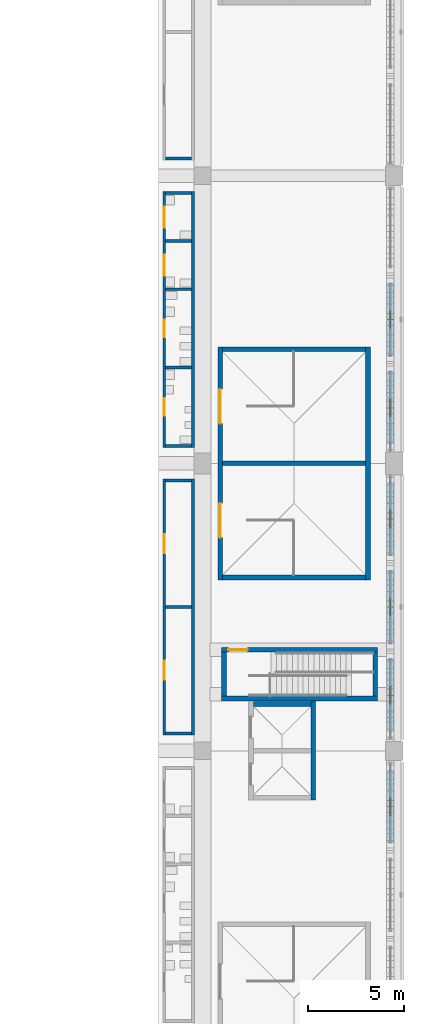
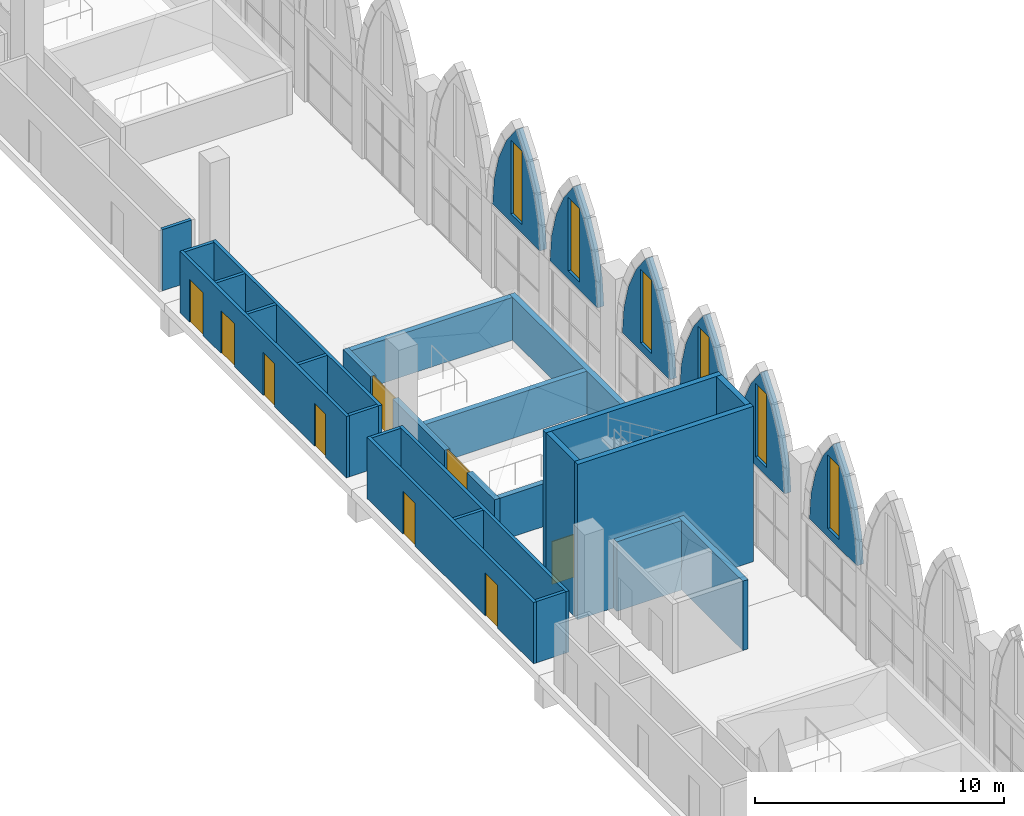
# One storey, part 75 of 130: 30 walls, 9 doors, 6 windows, 15 openings.
"""IFC4 building model written with IfcOpenShell, lengths in metres."""

from ifc_helpers import new_model, si_unit, direction, frame, frame_2d, origin, place, context, subcontext, project, spatial, polyline, rectangle, outline, extrude, material, layer, layer_set, type_object, element, fill, save


model = new_model("IFC4")

# Units and contexts
model_context = context("Model", 3, precision=1e-05, world=origin(), true_north=direction((0.0, 1.0)))
body_context = subcontext(model_context, "Body", "Model", "MODEL_VIEW")
ifc_project = project(units=[si_unit("LENGTHUNIT", "METRE"), si_unit("AREAUNIT", "SQUARE_METRE"), si_unit("VOLUMEUNIT", "CUBIC_METRE"), si_unit("PLANEANGLEUNIT", "RADIAN"), si_unit("MASSUNIT", "GRAM", prefix="KILO")], contexts=[model_context])

# Site, building, storey
site_placement = place(None, origin())
site = spatial("IfcSite", under=ifc_project, at=site_placement, CompositionType="ELEMENT")
building_placement = place(site_placement, origin())
building = spatial("IfcBuilding", under=site, at=building_placement, Name="Ogive Plaza Stadium", CompositionType="ELEMENT")
storey_placement = place(building_placement, frame((0.0, 0.0, 22.5)))
storey = spatial("IfcBuildingStorey", under=building, at=storey_placement, Name="L05", CompositionType="ELEMENT", Elevation=22.5)

# Wall
ifc_material_1 = material(Name="Masonry blockwork", Category="masonry")
ifc_layer_1 = layer(ifc_material_1, 0.14990234375)
ifc_layer_set_1 = layer_set([ifc_layer_1], Name="Blockwork wall 150")
wall_type_1 = type_object("IfcWallType", Name="Blockwork wall 150", PredefinedType="SOLIDWALL", material=ifc_layer_set_1)
wall_1_placement = place(storey_placement, frame((72.074951171875, 23.39990234375, 0.0), z_axis=(0.0, 0.0, 1.0), x_axis=(1.0, 0.0, 0.0)))
element("IfcWall", 1, at=wall_1_placement, inside=storey, type_object=wall_type_1, Name="Wall L05 B02", PredefinedType="SOLIDWALL", context=body_context, shape_type="SweptSolid", body=[
    extrude(rectangle(XDim=1.35009765625, YDim=0.14990234375, at=frame_2d((0.675048828125, 0.0))), origin(), (0.0, 0.0, 1.0), 3.0),
])

# Wall, openings, doors
wall_2_placement = place(storey_placement, frame((72.0, 6.675048828125, 0.0), z_axis=(0.0, 0.0, 1.0), x_axis=(0.0, -1.0, 0.0)))
wall_2 = element("IfcWall", 2, at=wall_2_placement, inside=storey, type_object=wall_type_1, Name="Wall L05 B04", PredefinedType="SOLIDWALL", context=body_context, shape_type="SweptSolid", body=[
    extrude(rectangle(XDim=13.35009765625, YDim=0.14990234375, at=frame_2d((6.675048828125, 0.0))), origin(), (0.0, 0.0, 1.0), 3.0),
])
opening_1_placement = place(wall_2_placement, frame((2.875, 0.0, 0.0)))
opening_1 = element("IfcOpeningElement", 3, at=opening_1_placement, cuts=wall_2, Name="Opening D0927", PredefinedType="OPENING", context=body_context, shape_type="SweptSolid", body=[
    extrude(rectangle(XDim=1.0, YDim=2.10009765625, at=frame_2d((0.5, 1.050048828125))), frame((0.0, 0.074951171875, 0.0), z_axis=(0.0, -1.0, 0.0), x_axis=(1.0, 0.0, 0.0)), (0.0, 0.0, 1.0), 0.14990234375),
])
opening_2_placement = place(wall_2_placement, frame((9.47509765625, 0.0, 0.0)))
opening_2 = element("IfcOpeningElement", 4, at=opening_2_placement, cuts=wall_2, Name="Opening D0928", PredefinedType="OPENING", context=body_context, shape_type="SweptSolid", body=[
    extrude(rectangle(XDim=1.0, YDim=2.10009765625, at=frame_2d((0.5, 1.050048828125))), frame((0.0, 0.074951171875, 0.0), z_axis=(0.0, -1.0, 0.0), x_axis=(1.0, 0.0, 0.0)), (0.0, 0.0, 1.0), 0.14990234375),
])
ifc_material_2 = material(Name="Steel ASTM A572 Grade 50", Category="steel")
door_type_1 = type_object("IfcDoorType", Name="Door 1000 x 2100", OperationType="SINGLE_SWING_LEFT", PredefinedType="DOOR", material=ifc_material_2)
door_1_placement = place(opening_1_placement, origin())
door_1 = element("IfcDoor", 5, at=door_1_placement, inside=storey, type_object=door_type_1, Name="Concession Stand B04 door", OperationType="SINGLE_SWING_LEFT", OverallHeight=2.10009765625, OverallWidth=1.0, PredefinedType="DOOR", context=body_context, shape_type="SweptSolid", body=[
    extrude(rectangle(XDim=1.0, YDim=2.10009765625, at=frame_2d((0.5, 1.050048828125))), frame((0.0, 0.02490234375, 0.0), z_axis=(0.0, -1.0, 0.0), x_axis=(1.0, 0.0, 0.0)), (0.0, 0.0, 1.0), 0.050048828125),
])
fill(opening_1, door_1)
door_2_placement = place(opening_2_placement, origin())
door_2 = element("IfcDoor", 6, at=door_2_placement, inside=storey, type_object=door_type_1, Name="Concession Stand B04 door", OperationType="SINGLE_SWING_RIGHT", OverallHeight=2.10009765625, OverallWidth=1.0, PredefinedType="DOOR", context=body_context, shape_type="SweptSolid", body=[
    extrude(rectangle(XDim=1.0, YDim=2.10009765625, at=frame_2d((0.5, 1.050048828125))), frame((0.0, 0.02490234375, 0.0), z_axis=(0.0, -1.0, 0.0), x_axis=(1.0, 0.0, 0.0)), (0.0, 0.0, 1.0), 0.050048828125),
])
fill(opening_2, door_2)

# Walls
wall_3_placement = place(storey_placement, frame((73.5, 6.675048828125, 0.0), z_axis=(0.0, 0.0, 1.0), x_axis=(0.0, -1.0, 0.0)))
element("IfcWall", 7, at=wall_3_placement, inside=storey, type_object=wall_type_1, Name="Wall L05 B04", PredefinedType="SOLIDWALL", context=body_context, shape_type="SweptSolid", body=[
    extrude(rectangle(XDim=13.35009765625, YDim=0.14990234375, at=frame_2d((6.675048828125, 0.0))), origin(), (0.0, 0.0, 1.0), 3.0),
])
for number, where, z_axis, x_axis, name in (
    (8, (72.074951171875, 6.60009765625, 0.0), (0.0, 0.0, 1.0), (1.0, 0.0, 0.0), "Wall L05 B04"),
    (9, (72.074951171875, 0.0, 0.0), (0.0, 0.0, 1.0), (1.0, 0.0, 0.0), "Wall L05 B04"),
    (10, (72.074951171875, -6.60009765625, 0.0), (0.0, 0.0, 1.0), (1.0, 0.0, 0.0), "Wall L05 B04"),
):
    element("IfcWall", number, at=place(storey_placement, frame(where, z_axis=z_axis, x_axis=x_axis)), inside=storey, type_object=wall_type_1, Name=name, PredefinedType="SOLIDWALL", context=body_context, shape_type="SweptSolid", body=[
        extrude(rectangle(XDim=1.35009765625, YDim=0.14990234375, at=frame_2d((0.675048828125, 0.0))), origin(), (0.0, 0.0, 1.0), 3.0),
    ])

# Wall, openings, doors
ifc_material_3 = material(Name="Concrete C40/50", Category="concrete")
ifc_layer_2 = layer(ifc_material_3, 0.25)
ifc_layer_set_2 = layer_set([ifc_layer_2], Name="Concrete C40/50")
wall_type_2 = type_object("IfcWallType", Name="Core wall 250", PredefinedType="SHEAR", material=ifc_layer_set_2)
wall_4_placement = place(storey_placement, frame((74.925048828125, 1.425048828125, 0.0), z_axis=(0.0, 0.0, 1.0), x_axis=(0.0, 1.0, 0.0)))
wall_4 = element("IfcWall", 11, at=wall_4_placement, inside=storey, type_object=wall_type_2, Name="Stair core R04 inner wall", PredefinedType="SHEAR", context=body_context, shape_type="SweptSolid", body=[
    extrude(rectangle(XDim=12.14990234375, YDim=0.25, at=frame_2d((6.074951171875, 0.0))), origin(), (0.0, 0.0, 1.0), 2.10009765625),
])
opening_3_placement = place(wall_4_placement, frame((2.199951171875, 0.0, 0.0)))
opening_3 = element("IfcOpeningElement", 12, at=opening_3_placement, cuts=wall_4, Name="Opening D0065", PredefinedType="OPENING", context=body_context, shape_type="SweptSolid", body=[
    extrude(rectangle(XDim=1.800048828125, YDim=2.10009765625, at=frame_2d((0.89990234375, 1.050048828125))), frame((0.0, 0.125, 0.0), z_axis=(0.0, -1.0, 0.0), x_axis=(1.0, 0.0, 0.0)), (0.0, 0.0, 1.0), 0.25),
])
opening_4_placement = place(wall_4_placement, frame((8.14990234375, 0.0, 0.0)))
opening_4 = element("IfcOpeningElement", 13, at=opening_4_placement, cuts=wall_4, Name="Opening D0066", PredefinedType="OPENING", context=body_context, shape_type="SweptSolid", body=[
    extrude(rectangle(XDim=1.800048828125, YDim=2.10009765625, at=frame_2d((0.89990234375, 1.050048828125))), frame((0.0, 0.125, 0.0), z_axis=(0.0, -1.0, 0.0), x_axis=(1.0, 0.0, 0.0)), (0.0, 0.0, 1.0), 0.25),
])
ifc_material_4 = material(Name="Steel ASTM A572 Grade 50", Category="steel")
door_type_2 = type_object("IfcDoorType", Name="Fire door FD90 pair 1800 x 2100", OperationType="DOUBLE_DOOR_SINGLE_SWING", PredefinedType="DOOR", material=ifc_material_4)
door_3_placement = place(opening_3_placement, origin())
door_3 = element("IfcDoor", 14, at=door_3_placement, inside=storey, type_object=door_type_2, Name="Exit stair R04A door L05", OperationType="DOUBLE_DOOR_SINGLE_SWING", OverallHeight=2.10009765625, OverallWidth=1.800048828125, PredefinedType="DOOR", context=body_context, shape_type="SweptSolid", body=[
    extrude(rectangle(XDim=1.800048828125, YDim=2.10009765625, at=frame_2d((0.89990234375, 1.050048828125))), frame((0.0, 0.02490234375, 0.0), z_axis=(0.0, -1.0, 0.0), x_axis=(1.0, 0.0, 0.0)), (0.0, 0.0, 1.0), 0.050048828125),
])
fill(opening_3, door_3)
door_4_placement = place(opening_4_placement, origin())
door_4 = element("IfcDoor", 15, at=door_4_placement, inside=storey, type_object=door_type_2, Name="Exit stair R04B door L05", OperationType="DOUBLE_DOOR_SINGLE_SWING", OverallHeight=2.10009765625, OverallWidth=1.800048828125, PredefinedType="DOOR", context=body_context, shape_type="SweptSolid", body=[
    extrude(rectangle(XDim=1.800048828125, YDim=2.10009765625, at=frame_2d((0.89990234375, 1.050048828125))), frame((0.0, 0.02490234375, 0.0), z_axis=(0.0, -1.0, 0.0), x_axis=(1.0, 0.0, 0.0)), (0.0, 0.0, 1.0), 0.050048828125),
])
fill(opening_4, door_4)

# Walls
wall_5_placement = place(storey_placement, frame((82.635009765625, 1.425048828125, 0.0), z_axis=(0.0, 0.0, 1.0), x_axis=(0.0, 1.0, 0.0)))
element("IfcWall", 16, at=wall_5_placement, inside=storey, type_object=wall_type_2, Name="Stair core R04 outer wall", PredefinedType="SHEAR", context=body_context, shape_type="SweptSolid", body=[
    extrude(rectangle(XDim=12.14990234375, YDim=0.25, at=frame_2d((6.074951171875, 0.0))), origin(), (0.0, 0.0, 1.0), 2.10009765625),
])
for number, where, z_axis, x_axis, name in (
    (17, (75.050048828125, 1.550048828125, 0.0), (0.0, 0.0, 1.0), (1.0, 0.0, 0.0), "Stair core R04 side wall"),
    (18, (75.050048828125, 13.449951171875, 0.0), (0.0, 0.0, 1.0), (1.0, 0.0, 0.0), "Stair core R04 side wall"),
    (19, (75.050048828125, 7.5, 0.0), (0.0, 0.0, 1.0), (1.0, 0.0, 0.0), "Stair core R04 centre wall"),
):
    element("IfcWall", number, at=place(storey_placement, frame(where, z_axis=z_axis, x_axis=x_axis)), inside=storey, type_object=wall_type_2, Name=name, PredefinedType="SHEAR", context=body_context, shape_type="SweptSolid", body=[
        extrude(rectangle(XDim=7.4599609375, YDim=0.25, at=frame_2d((3.72998046875, 0.0))), origin(), (0.0, 0.0, 1.0), 2.10009765625),
    ])
ifc_material_5 = material(Name="Concrete C40/50", Category="concrete")
ifc_layer_3 = layer(ifc_material_5, 0.25)
ifc_layer_set_3 = layer_set([ifc_layer_3], Name="Concrete C40/50")
wall_type_3 = type_object("IfcWallType", Name="Core wall 250 A", PredefinedType="SHEAR", material=ifc_layer_set_3)
wall_6_placement = place(storey_placement, frame((79.77490234375, -10.074951171875, 0.0), z_axis=(0.0, 0.0, 1.0), x_axis=(0.0, 1.0, 0.0)))
element("IfcWall", 20, at=wall_6_placement, inside=storey, type_object=wall_type_3, Name="Lift core LP05 rear wall", PredefinedType="SHEAR", context=body_context, shape_type="SweptSolid", body=[
    extrude(rectangle(XDim=5.175048828125, YDim=0.25, at=frame_2d((2.58740234375, 0.0))), origin(), (0.0, 0.0, 1.0), 3.39990234375),
])
wall_7_placement = place(storey_placement, frame((76.64990234375, -5.050048828125, 0.0), z_axis=(0.0, 0.0, 1.0), x_axis=(1.0, 0.0, 0.0)))
element("IfcWall", 21, at=wall_7_placement, inside=storey, type_object=wall_type_3, Name="Lift core LP05 side wall", PredefinedType="SHEAR", context=body_context, shape_type="SweptSolid", body=[
    extrude(rectangle(XDim=3.0, YDim=0.25, at=frame_2d((1.5, 0.0))), origin(), (0.0, 0.0, 1.0), 3.39990234375),
])
ifc_material_6 = material(Name="Concrete C40/50", Category="concrete")
ifc_layer_4 = layer(ifc_material_6, 0.25)
ifc_layer_set_4 = layer_set([ifc_layer_4], Name="Concrete C40/50")
wall_type_4 = type_object("IfcWallType", Name="Core wall 250 B", PredefinedType="SHEAR", material=ifc_layer_set_4)
wall_8_placement = place(storey_placement, frame((75.0, -4.77490234375, 0.0), z_axis=(0.0, 0.0, 1.0), x_axis=(1.0, 0.0, 0.0)))
element("IfcWall", 22, at=wall_8_placement, inside=storey, type_object=wall_type_4, Name="Roof access stair RA1 wall", PredefinedType="SHEAR", context=body_context, shape_type="SweptSolid", body=[
    extrude(rectangle(XDim=8.139892578125, YDim=0.25, at=frame_2d((4.06982421875, 0.0))), origin(), (0.0, 0.0, 1.0), 7.60009765625),
])

# Wall, opening, door
wall_9_placement = place(storey_placement, frame((75.0, -2.22509765625, 0.0), z_axis=(0.0, 0.0, 1.0), x_axis=(1.0, 0.0, 0.0)))
wall_9 = element("IfcWall", 23, at=wall_9_placement, inside=storey, type_object=wall_type_4, Name="Roof access stair RA1 wall", PredefinedType="SHEAR", context=body_context, shape_type="SweptSolid", body=[
    extrude(rectangle(XDim=8.139892578125, YDim=0.25, at=frame_2d((4.06982421875, 0.0))), origin(), (0.0, 0.0, 1.0), 7.60009765625),
])
opening_5_placement = place(wall_9_placement, frame((0.35009765625, 0.0, 0.0)))
opening_5 = element("IfcOpeningElement", 24, at=opening_5_placement, cuts=wall_9, Name="Opening D1057", PredefinedType="OPENING", context=body_context, shape_type="SweptSolid", body=[
    extrude(rectangle(XDim=1.0, YDim=2.10009765625, at=frame_2d((0.5, 1.050048828125))), frame((0.0, 0.125, 0.0), z_axis=(0.0, -1.0, 0.0), x_axis=(1.0, 0.0, 0.0)), (0.0, 0.0, 1.0), 0.25),
])
ifc_material_7 = material(Name="Steel ASTM A572 Grade 50", Category="steel")
door_type_3 = type_object("IfcDoorType", Name="Fire door FD90 1000 x 2100", OperationType="SINGLE_SWING_LEFT", PredefinedType="DOOR", material=ifc_material_7)
door_5_placement = place(opening_5_placement, origin())
door_5 = element("IfcDoor", 25, at=door_5_placement, inside=storey, type_object=door_type_3, Name="Roof access stair RA1 door", OperationType="SINGLE_SWING_LEFT", OverallHeight=2.10009765625, OverallWidth=1.0, PredefinedType="DOOR", context=body_context, shape_type="SweptSolid", body=[
    extrude(rectangle(XDim=1.0, YDim=2.10009765625, at=frame_2d((0.5, 1.050048828125))), frame((0.0, 0.02490234375, 0.0), z_axis=(0.0, -1.0, 0.0), x_axis=(1.0, 0.0, 0.0)), (0.0, 0.0, 1.0), 0.050048828125),
])
fill(opening_5, door_5)

# Walls
for number, where, z_axis, x_axis, name in (
    (26, (75.125, -4.64990234375, 0.0), (0.0, 0.0, 1.0), (0.0, 1.0, 0.0), "Roof access stair RA1 wall"),
    (27, (83.014892578125, -4.64990234375, 0.0), (0.0, 0.0, 1.0), (0.0, 1.0, 0.0), "Roof access stair RA1 wall"),
):
    element("IfcWall", number, at=place(storey_placement, frame(where, z_axis=z_axis, x_axis=x_axis)), inside=storey, type_object=wall_type_4, Name=name, PredefinedType="SHEAR", context=body_context, shape_type="SweptSolid", body=[
        extrude(rectangle(XDim=2.2998046875, YDim=0.25, at=frame_2d((1.14990234375, 0.0))), origin(), (0.0, 0.0, 1.0), 7.60009765625),
    ])

# Wall, openings, doors
ifc_material_8 = material(Name="Gypsum board partition", Category="gypsum")
ifc_layer_5 = layer(ifc_material_8, 0.14990234375)
ifc_layer_set_5 = layer_set([ifc_layer_5], Name="Partition 150")
wall_type_5 = type_object("IfcWallType", Name="Partition 150", PredefinedType="PARTITIONING", material=ifc_layer_set_5)
wall_10_placement = place(storey_placement, frame((72.0, 8.324951171875, 0.0), z_axis=(0.0, 0.0, 1.0), x_axis=(0.0, 1.0, 0.0)))
wall_10 = element("IfcWall", 28, at=wall_10_placement, inside=storey, type_object=wall_type_5, Name="Wall L05 B03", PredefinedType="PARTITIONING", context=body_context, shape_type="SweptSolid", body=[
    extrude(rectangle(XDim=13.35009765625, YDim=0.14990234375, at=frame_2d((6.675048828125, 0.0))), origin(), (0.0, 0.0, 1.0), 3.0),
])
opening_6_placement = place(wall_10_placement, frame((1.6708984375, 0.0, 0.0)))
opening_6 = element("IfcOpeningElement", 29, at=opening_6_placement, cuts=wall_10, Name="Opening D0923", PredefinedType="OPENING", context=body_context, shape_type="SweptSolid", body=[
    extrude(rectangle(XDim=0.89990234375, YDim=2.10009765625, at=frame_2d((0.449951171875, 1.050048828125))), frame((0.0, 0.074951171875, 0.0), z_axis=(0.0, -1.0, 0.0), x_axis=(1.0, 0.0, 0.0)), (0.0, 0.0, 1.0), 0.14990234375),
])
opening_7_placement = place(wall_10_placement, frame((5.762939453125, 0.0, 0.0)))
opening_7 = element("IfcOpeningElement", 30, at=opening_7_placement, cuts=wall_10, Name="Opening D0924", PredefinedType="OPENING", context=body_context, shape_type="SweptSolid", body=[
    extrude(rectangle(XDim=0.89990234375, YDim=2.10009765625, at=frame_2d((0.449951171875, 1.050048828125))), frame((0.0, 0.074951171875, 0.0), z_axis=(0.0, -1.0, 0.0), x_axis=(1.0, 0.0, 0.0)), (0.0, 0.0, 1.0), 0.14990234375),
])
opening_8_placement = place(wall_10_placement, frame((8.962890625, 0.0, 0.0)))
opening_8 = element("IfcOpeningElement", 31, at=opening_8_placement, cuts=wall_10, Name="Opening D0925", PredefinedType="OPENING", context=body_context, shape_type="SweptSolid", body=[
    extrude(rectangle(XDim=1.10009765625, YDim=2.10009765625, at=frame_2d((0.550048828125, 1.050048828125))), frame((0.0, 0.074951171875, 0.0), z_axis=(0.0, -1.0, 0.0), x_axis=(1.0, 0.0, 0.0)), (0.0, 0.0, 1.0), 0.14990234375),
])
opening_9_placement = place(wall_10_placement, frame((11.470947265625, 0.0, 0.0)))
opening_9 = element("IfcOpeningElement", 32, at=opening_9_placement, cuts=wall_10, Name="Opening D0926", PredefinedType="OPENING", context=body_context, shape_type="SweptSolid", body=[
    extrude(rectangle(XDim=1.10009765625, YDim=2.10009765625, at=frame_2d((0.550048828125, 1.050048828125))), frame((0.0, 0.074951171875, 0.0), z_axis=(0.0, -1.0, 0.0), x_axis=(1.0, 0.0, 0.0)), (0.0, 0.0, 1.0), 0.14990234375),
])
ifc_material_9 = material(Name="Steel ASTM A572 Grade 50", Category="steel")
door_type_4 = type_object("IfcDoorType", Name="Accessible door 1100 x 2100", OperationType="SINGLE_SWING_LEFT", PredefinedType="DOOR", material=ifc_material_9)
door_6_placement = place(opening_8_placement, origin())
door_6 = element("IfcDoor", 33, at=door_6_placement, inside=storey, type_object=door_type_4, Name="Accessible WC B03 door", OperationType="SINGLE_SWING_RIGHT", OverallHeight=2.10009765625, OverallWidth=1.10009765625, PredefinedType="DOOR", context=body_context, shape_type="SweptSolid", body=[
    extrude(rectangle(XDim=1.10009765625, YDim=2.10009765625, at=frame_2d((0.550048828125, 1.050048828125))), frame((0.0, 0.02490234375, 0.0), z_axis=(0.0, -1.0, 0.0), x_axis=(1.0, 0.0, 0.0)), (0.0, 0.0, 1.0), 0.050048828125),
])
fill(opening_8, door_6)
door_7_placement = place(opening_9_placement, origin())
door_7 = element("IfcDoor", 34, at=door_7_placement, inside=storey, type_object=door_type_4, Name="Family WC B03 door", OperationType="SINGLE_SWING_LEFT", OverallHeight=2.10009765625, OverallWidth=1.10009765625, PredefinedType="DOOR", context=body_context, shape_type="SweptSolid", body=[
    extrude(rectangle(XDim=1.10009765625, YDim=2.10009765625, at=frame_2d((0.550048828125, 1.050048828125))), frame((0.0, 0.02490234375, 0.0), z_axis=(0.0, -1.0, 0.0), x_axis=(1.0, 0.0, 0.0)), (0.0, 0.0, 1.0), 0.050048828125),
])
fill(opening_9, door_7)
ifc_material_10 = material(Name="Steel ASTM A572 Grade 50", Category="steel")
door_type_5 = type_object("IfcDoorType", Name="Door 900 x 2100", OperationType="SINGLE_SWING_LEFT", PredefinedType="DOOR", material=ifc_material_10)
door_8_placement = place(opening_6_placement, origin())
door_8 = element("IfcDoor", 35, at=door_8_placement, inside=storey, type_object=door_type_5, Name="Men's Toilet B03 door", OperationType="SINGLE_SWING_RIGHT", OverallHeight=2.10009765625, OverallWidth=0.89990234375, PredefinedType="DOOR", context=body_context, shape_type="SweptSolid", body=[
    extrude(rectangle(XDim=0.89990234375, YDim=2.10009765625, at=frame_2d((0.449951171875, 1.050048828125))), frame((0.0, 0.02490234375, 0.0), z_axis=(0.0, -1.0, 0.0), x_axis=(1.0, 0.0, 0.0)), (0.0, 0.0, 1.0), 0.050048828125),
])
fill(opening_6, door_8)
door_9_placement = place(opening_7_placement, origin())
door_9 = element("IfcDoor", 36, at=door_9_placement, inside=storey, type_object=door_type_5, Name="Women's Toilet B03 door", OperationType="SINGLE_SWING_LEFT", OverallHeight=2.10009765625, OverallWidth=0.89990234375, PredefinedType="DOOR", context=body_context, shape_type="SweptSolid", body=[
    extrude(rectangle(XDim=0.89990234375, YDim=2.10009765625, at=frame_2d((0.449951171875, 1.050048828125))), frame((0.0, 0.02490234375, 0.0), z_axis=(0.0, -1.0, 0.0), x_axis=(1.0, 0.0, 0.0)), (0.0, 0.0, 1.0), 0.050048828125),
])
fill(opening_7, door_9)

# Walls
wall_11_placement = place(storey_placement, frame((73.5, 8.324951171875, 0.0), z_axis=(0.0, 0.0, 1.0), x_axis=(0.0, 1.0, 0.0)))
element("IfcWall", 37, at=wall_11_placement, inside=storey, type_object=wall_type_5, Name="Wall L05 B03", PredefinedType="PARTITIONING", context=body_context, shape_type="SweptSolid", body=[
    extrude(rectangle(XDim=13.35009765625, YDim=0.14990234375, at=frame_2d((6.675048828125, 0.0))), origin(), (0.0, 0.0, 1.0), 3.0),
])
for number, where, z_axis, x_axis, name in (
    (38, (72.074951171875, 8.39990234375, 0.0), (0.0, 0.0, 1.0), (1.0, 0.0, 0.0), "Wall L05 B03"),
    (39, (72.074951171875, 12.491943359375, 0.0), (0.0, 0.0, 1.0), (1.0, 0.0, 0.0), "Wall L05 B03"),
    (40, (72.074951171875, 16.583984375, 0.0), (0.0, 0.0, 1.0), (1.0, 0.0, 0.0), "Wall L05 B03"),
    (41, (72.074951171875, 19.092041015625, 0.0), (0.0, 0.0, 1.0), (1.0, 0.0, 0.0), "Wall L05 B03"),
    (42, (72.074951171875, 21.60009765625, 0.0), (0.0, 0.0, 1.0), (1.0, 0.0, 0.0), "Wall L05 B03"),
):
    element("IfcWall", number, at=place(storey_placement, frame(where, z_axis=z_axis, x_axis=x_axis)), inside=storey, type_object=wall_type_5, Name=name, PredefinedType="PARTITIONING", context=body_context, shape_type="SweptSolid", body=[
        extrude(rectangle(XDim=1.35009765625, YDim=0.14990234375, at=frame_2d((0.675048828125, 0.0))), origin(), (0.0, 0.0, 1.0), 3.0),
    ])

# Wall, opening, window
ifc_material_11 = material(Name="Concrete C45/55 precast", Category="concrete")
ifc_layer_6 = layer(ifc_material_11, 0.25)
ifc_material_12 = material(Name="Cast stone (reconstituted limestone)", Category="masonry")
ifc_layer_7 = layer(ifc_material_12, 0.050048828125)
ifc_layer_set_6 = layer_set([ifc_layer_6, ifc_layer_7], Name="Concrete C45/55 precast, cast stone facing")
wall_type_6 = type_object("IfcWallType", Name="Tympanum wall 300", PredefinedType="SOLIDWALL", material=ifc_layer_set_6)
wall_12_placement = place(storey_placement, frame((83.800048828125, 16.89990234375, 4.10009765625), z_axis=(0.0, 0.0, 1.0), x_axis=(0.0, -1.0, 0.0)))
wall_12 = element("IfcWall", 43, at=wall_12_placement, inside=storey, type_object=wall_type_6, Name="TYMPANUM B03 2", PredefinedType="SOLIDWALL", context=body_context, shape_type="SweptSolid", body=[
    extrude(outline(polyline([(0.0, 0.0), (3.7998046875, 0.0), (3.800048828125, 0.0498046875), (3.67578125, 1.313720703125), (3.3076171875, 2.5810546875), (2.708740234375, 3.757080078125), (1.89990234375, 4.7998046875), (1.09130859375, 3.757080078125), (0.4921875, 2.5810546875), (0.124267578125, 1.313720703125), (0.0, 0.0498046875), (0.0, 0.0)])), frame((0.0, 0.14990234375, 0.0), z_axis=(0.0, -1.0, 0.0), x_axis=(1.0, 0.0, 0.0)), (0.0, 0.0, 1.0), 0.300048828125),
])
opening_10_placement = place(wall_12_placement, frame((1.449951171875, 0.0, 0.39990234375)))
opening_10 = element("IfcOpeningElement", 44, at=opening_10_placement, cuts=wall_12, Name="Opening W-03-2", PredefinedType="OPENING", context=body_context, shape_type="SweptSolid", body=[
    extrude(rectangle(XDim=0.89990234375, YDim=3.60009765625, at=frame_2d((0.449951171875, 1.800048828125))), frame((0.0, 0.16015625, 0.0), z_axis=(0.0, -1.0, 0.0), x_axis=(1.0, 0.0, 0.0)), (0.0, 0.0, 1.0), 0.320068359375),
])
ifc_material_13 = material(Name="Bronze-anodised aluminium and laminated glass", Category="aluminium")
window_type = type_object("IfcWindowType", Name="Lancet window 900 x 3600", PartitioningType="SINGLE_PANEL", PredefinedType="WINDOW", material=ifc_material_13)
window_1_placement = place(opening_10_placement, origin())
window_1 = element("IfcWindow", 45, at=window_1_placement, inside=storey, type_object=window_type, Name="LANCET WINDOW B03 2", OverallHeight=3.60009765625, OverallWidth=0.89990234375, PartitioningType="SINGLE_PANEL", PredefinedType="WINDOW", context=body_context, shape_type="SweptSolid", body=[
    extrude(rectangle(XDim=0.89990234375, YDim=3.60009765625, at=frame_2d((0.449951171875, 1.800048828125))), frame((0.0, 0.030029296875, 0.0), z_axis=(0.0, -1.0, 0.0), x_axis=(1.0, 0.0, 0.0)), (0.0, 0.0, 1.0), 0.06005859375),
])
fill(opening_10, window_1)

wall_13_placement = place(storey_placement, frame((83.800048828125, 12.300048828125, 4.10009765625), z_axis=(0.0, 0.0, 1.0), x_axis=(0.0, -1.0, 0.0)))
wall_13 = element("IfcWall", 46, at=wall_13_placement, inside=storey, type_object=wall_type_6, Name="TYMPANUM B03 3", PredefinedType="SOLIDWALL", context=body_context, shape_type="SweptSolid", body=[
    extrude(outline(polyline([(0.0, 0.0), (3.800048828125, 0.0), (3.800048828125, 0.0498046875), (3.67578125, 1.313720703125), (3.3076171875, 2.5810546875), (2.708740234375, 3.757080078125), (1.89990234375, 4.7998046875), (1.09130859375, 3.757080078125), (0.4921875, 2.5810546875), (0.124267578125, 1.313720703125), (0.0, 0.0498046875), (0.0, 0.0)])), frame((0.0, 0.14990234375, 0.0), z_axis=(0.0, -1.0, 0.0), x_axis=(1.0, 0.0, 0.0)), (0.0, 0.0, 1.0), 0.300048828125),
])
opening_11_placement = place(wall_13_placement, frame((1.449951171875, 0.0, 0.39990234375)))
opening_11 = element("IfcOpeningElement", 47, at=opening_11_placement, cuts=wall_13, Name="Opening W-03-3", PredefinedType="OPENING", context=body_context, shape_type="SweptSolid", body=[
    extrude(rectangle(XDim=0.89990234375, YDim=3.60009765625, at=frame_2d((0.449951171875, 1.800048828125))), frame((0.0, 0.16015625, 0.0), z_axis=(0.0, -1.0, 0.0), x_axis=(1.0, 0.0, 0.0)), (0.0, 0.0, 1.0), 0.320068359375),
])
window_2_placement = place(opening_11_placement, origin())
window_2 = element("IfcWindow", 48, at=window_2_placement, inside=storey, type_object=window_type, Name="LANCET WINDOW B03 3", OverallHeight=3.60009765625, OverallWidth=0.89990234375, PartitioningType="SINGLE_PANEL", PredefinedType="WINDOW", context=body_context, shape_type="SweptSolid", body=[
    extrude(rectangle(XDim=0.89990234375, YDim=3.60009765625, at=frame_2d((0.449951171875, 1.800048828125))), frame((0.0, 0.030029296875, 0.0), z_axis=(0.0, -1.0, 0.0), x_axis=(1.0, 0.0, 0.0)), (0.0, 0.0, 1.0), 0.06005859375),
])
fill(opening_11, window_2)

wall_14_placement = place(storey_placement, frame((83.800048828125, 6.5, 4.10009765625), z_axis=(0.0, 0.0, 1.0), x_axis=(0.0, -1.0, 0.0)))
wall_14 = element("IfcWall", 49, at=wall_14_placement, inside=storey, type_object=wall_type_6, Name="TYMPANUM B04 1", PredefinedType="SOLIDWALL", context=body_context, shape_type="SweptSolid", body=[
    extrude(outline(polyline([(0.0, 0.0), (3.800048828125, 0.0), (3.800048828125, 0.0498046875), (3.67578125, 1.313720703125), (3.3076171875, 2.5810546875), (2.708740234375, 3.757080078125), (1.89990234375, 4.7998046875), (1.09130859375, 3.757080078125), (0.4921875, 2.5810546875), (0.124267578125, 1.313720703125), (0.0, 0.0498046875), (0.0, 0.0)])), frame((0.0, 0.14990234375, 0.0), z_axis=(0.0, -1.0, 0.0), x_axis=(1.0, 0.0, 0.0)), (0.0, 0.0, 1.0), 0.300048828125),
])
opening_12_placement = place(wall_14_placement, frame((1.449951171875, 0.0, 0.39990234375)))
opening_12 = element("IfcOpeningElement", 50, at=opening_12_placement, cuts=wall_14, Name="Opening W-04-1", PredefinedType="OPENING", context=body_context, shape_type="SweptSolid", body=[
    extrude(rectangle(XDim=0.89990234375, YDim=3.60009765625, at=frame_2d((0.449951171875, 1.800048828125))), frame((0.0, 0.16015625, 0.0), z_axis=(0.0, -1.0, 0.0), x_axis=(1.0, 0.0, 0.0)), (0.0, 0.0, 1.0), 0.320068359375),
])
window_3_placement = place(opening_12_placement, origin())
window_3 = element("IfcWindow", 51, at=window_3_placement, inside=storey, type_object=window_type, Name="LANCET WINDOW B04 1", OverallHeight=3.60009765625, OverallWidth=0.89990234375, PartitioningType="SINGLE_PANEL", PredefinedType="WINDOW", context=body_context, shape_type="SweptSolid", body=[
    extrude(rectangle(XDim=0.89990234375, YDim=3.60009765625, at=frame_2d((0.449951171875, 1.800048828125))), frame((0.0, 0.030029296875, 0.0), z_axis=(0.0, -1.0, 0.0), x_axis=(1.0, 0.0, 0.0)), (0.0, 0.0, 1.0), 0.06005859375),
])
fill(opening_12, window_3)

wall_15_placement = place(storey_placement, frame((83.800048828125, 1.89990234375, 4.10009765625), z_axis=(0.0, 0.0, 1.0), x_axis=(0.0, -1.0, 0.0)))
wall_15 = element("IfcWall", 52, at=wall_15_placement, inside=storey, type_object=wall_type_6, Name="TYMPANUM B04 2", PredefinedType="SOLIDWALL", context=body_context, shape_type="SweptSolid", body=[
    extrude(outline(polyline([(0.0, 0.0), (3.7998046875, 0.0), (3.800048828125, 0.0498046875), (3.67578125, 1.313720703125), (3.3076171875, 2.5810546875), (2.708740234375, 3.757080078125), (1.89990234375, 4.7998046875), (1.09130859375, 3.757080078125), (0.4921875, 2.5810546875), (0.124267578125, 1.313720703125), (0.0, 0.0498046875), (0.0, 0.0)])), frame((0.0, 0.14990234375, 0.0), z_axis=(0.0, -1.0, 0.0), x_axis=(1.0, 0.0, 0.0)), (0.0, 0.0, 1.0), 0.300048828125),
])
opening_13_placement = place(wall_15_placement, frame((1.449951171875, 0.0, 0.39990234375)))
opening_13 = element("IfcOpeningElement", 53, at=opening_13_placement, cuts=wall_15, Name="Opening W-04-2", PredefinedType="OPENING", context=body_context, shape_type="SweptSolid", body=[
    extrude(rectangle(XDim=0.89990234375, YDim=3.60009765625, at=frame_2d((0.449951171875, 1.800048828125))), frame((0.0, 0.16015625, 0.0), z_axis=(0.0, -1.0, 0.0), x_axis=(1.0, 0.0, 0.0)), (0.0, 0.0, 1.0), 0.320068359375),
])
window_4_placement = place(opening_13_placement, origin())
window_4 = element("IfcWindow", 54, at=window_4_placement, inside=storey, type_object=window_type, Name="LANCET WINDOW B04 2", OverallHeight=3.60009765625, OverallWidth=0.89990234375, PartitioningType="SINGLE_PANEL", PredefinedType="WINDOW", context=body_context, shape_type="SweptSolid", body=[
    extrude(rectangle(XDim=0.89990234375, YDim=3.60009765625, at=frame_2d((0.449951171875, 1.800048828125))), frame((0.0, 0.030029296875, 0.0), z_axis=(0.0, -1.0, 0.0), x_axis=(1.0, 0.0, 0.0)), (0.0, 0.0, 1.0), 0.06005859375),
])
fill(opening_13, window_4)

wall_16_placement = place(storey_placement, frame((83.800048828125, -2.699951171875, 4.10009765625), z_axis=(0.0, 0.0, 1.0), x_axis=(0.0, -1.0, 0.0)))
wall_16 = element("IfcWall", 55, at=wall_16_placement, inside=storey, type_object=wall_type_6, Name="TYMPANUM B04 3", PredefinedType="SOLIDWALL", context=body_context, shape_type="SweptSolid", body=[
    extrude(outline(polyline([(0.0, 0.0), (3.800048828125, 0.0), (3.800048828125, 0.0498046875), (3.67578125, 1.313720703125), (3.3076171875, 2.5810546875), (2.708740234375, 3.757080078125), (1.89990234375, 4.7998046875), (1.09130859375, 3.757080078125), (0.4921875, 2.5810546875), (0.124267578125, 1.313720703125), (0.0, 0.0498046875), (0.0, 0.0)])), frame((0.0, 0.14990234375, 0.0), z_axis=(0.0, -1.0, 0.0), x_axis=(1.0, 0.0, 0.0)), (0.0, 0.0, 1.0), 0.300048828125),
])
opening_14_placement = place(wall_16_placement, frame((1.449951171875, 0.0, 0.39990234375)))
opening_14 = element("IfcOpeningElement", 56, at=opening_14_placement, cuts=wall_16, Name="Opening W-04-3", PredefinedType="OPENING", context=body_context, shape_type="SweptSolid", body=[
    extrude(rectangle(XDim=0.89990234375, YDim=3.60009765625, at=frame_2d((0.449951171875, 1.800048828125))), frame((0.0, 0.16015625, 0.0), z_axis=(0.0, -1.0, 0.0), x_axis=(1.0, 0.0, 0.0)), (0.0, 0.0, 1.0), 0.320068359375),
])
window_5_placement = place(opening_14_placement, origin())
window_5 = element("IfcWindow", 57, at=window_5_placement, inside=storey, type_object=window_type, Name="LANCET WINDOW B04 3", OverallHeight=3.60009765625, OverallWidth=0.89990234375, PartitioningType="SINGLE_PANEL", PredefinedType="WINDOW", context=body_context, shape_type="SweptSolid", body=[
    extrude(rectangle(XDim=0.89990234375, YDim=3.60009765625, at=frame_2d((0.449951171875, 1.800048828125))), frame((0.0, 0.030029296875, 0.0), z_axis=(0.0, -1.0, 0.0), x_axis=(1.0, 0.0, 0.0)), (0.0, 0.0, 1.0), 0.06005859375),
])
fill(opening_14, window_5)

wall_17_placement = place(storey_placement, frame((83.800048828125, -8.5, 4.10009765625), z_axis=(0.0, 0.0, 1.0), x_axis=(0.0, -1.0, 0.0)))
wall_17 = element("IfcWall", 58, at=wall_17_placement, inside=storey, type_object=wall_type_6, Name="TYMPANUM B05 1", PredefinedType="SOLIDWALL", context=body_context, shape_type="SweptSolid", body=[
    extrude(outline(polyline([(0.0, 0.0), (3.800048828125, 0.0), (3.800048828125, 0.0498046875), (3.67578125, 1.313720703125), (3.3076171875, 2.5810546875), (2.708740234375, 3.757080078125), (1.89990234375, 4.7998046875), (1.09130859375, 3.757080078125), (0.4921875, 2.5810546875), (0.124267578125, 1.313720703125), (0.0, 0.0498046875), (0.0, 0.0)])), frame((0.0, 0.14990234375, 0.0), z_axis=(0.0, -1.0, 0.0), x_axis=(1.0, 0.0, 0.0)), (0.0, 0.0, 1.0), 0.300048828125),
])
opening_15_placement = place(wall_17_placement, frame((1.449951171875, 0.0, 0.39990234375)))
opening_15 = element("IfcOpeningElement", 59, at=opening_15_placement, cuts=wall_17, Name="Opening W-05-1", PredefinedType="OPENING", context=body_context, shape_type="SweptSolid", body=[
    extrude(rectangle(XDim=0.89990234375, YDim=3.60009765625, at=frame_2d((0.449951171875, 1.800048828125))), frame((0.0, 0.16015625, 0.0), z_axis=(0.0, -1.0, 0.0), x_axis=(1.0, 0.0, 0.0)), (0.0, 0.0, 1.0), 0.320068359375),
])
window_6_placement = place(opening_15_placement, origin())
window_6 = element("IfcWindow", 60, at=window_6_placement, inside=storey, type_object=window_type, Name="LANCET WINDOW B05 1", OverallHeight=3.60009765625, OverallWidth=0.89990234375, PartitioningType="SINGLE_PANEL", PredefinedType="WINDOW", context=body_context, shape_type="SweptSolid", body=[
    extrude(rectangle(XDim=0.89990234375, YDim=3.60009765625, at=frame_2d((0.449951171875, 1.800048828125))), frame((0.0, 0.030029296875, 0.0), z_axis=(0.0, -1.0, 0.0), x_axis=(1.0, 0.0, 0.0)), (0.0, 0.0, 1.0), 0.06005859375),
])
fill(opening_15, window_6)

save(model, "model.ifc")
